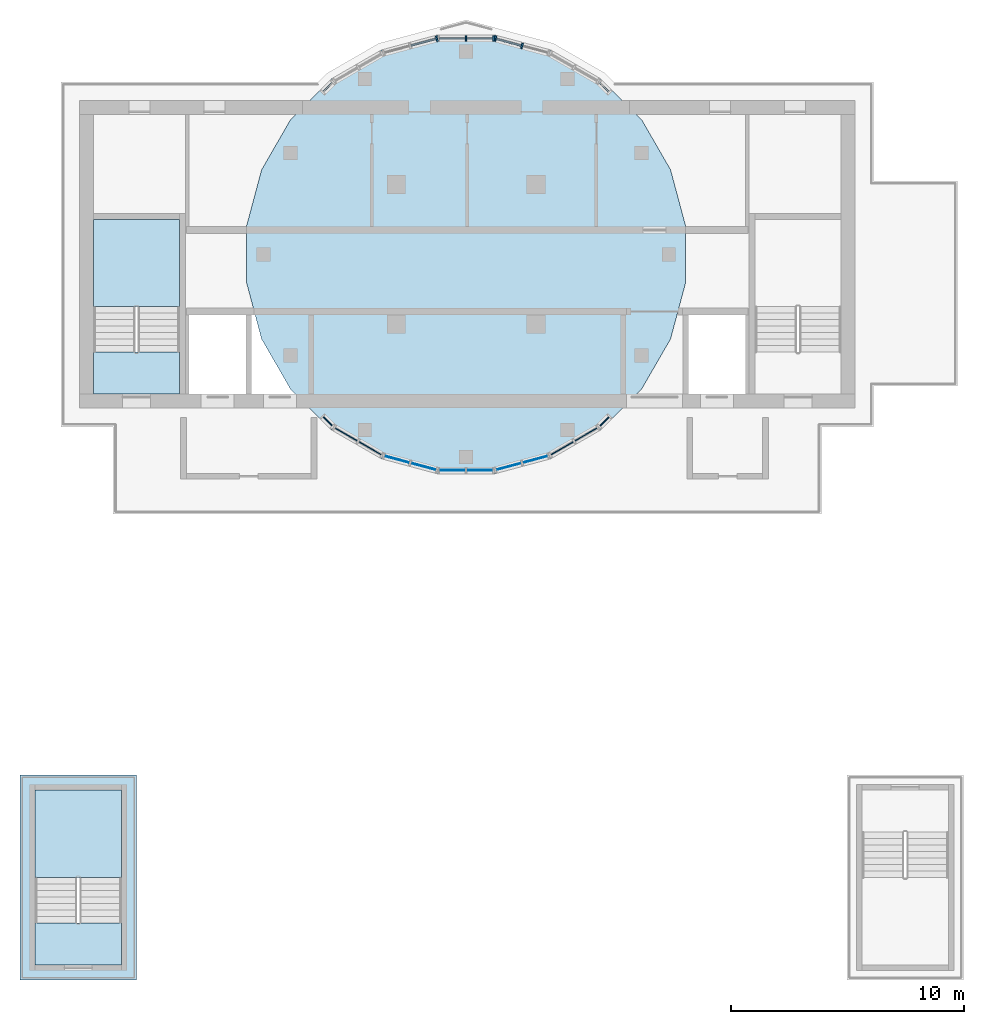
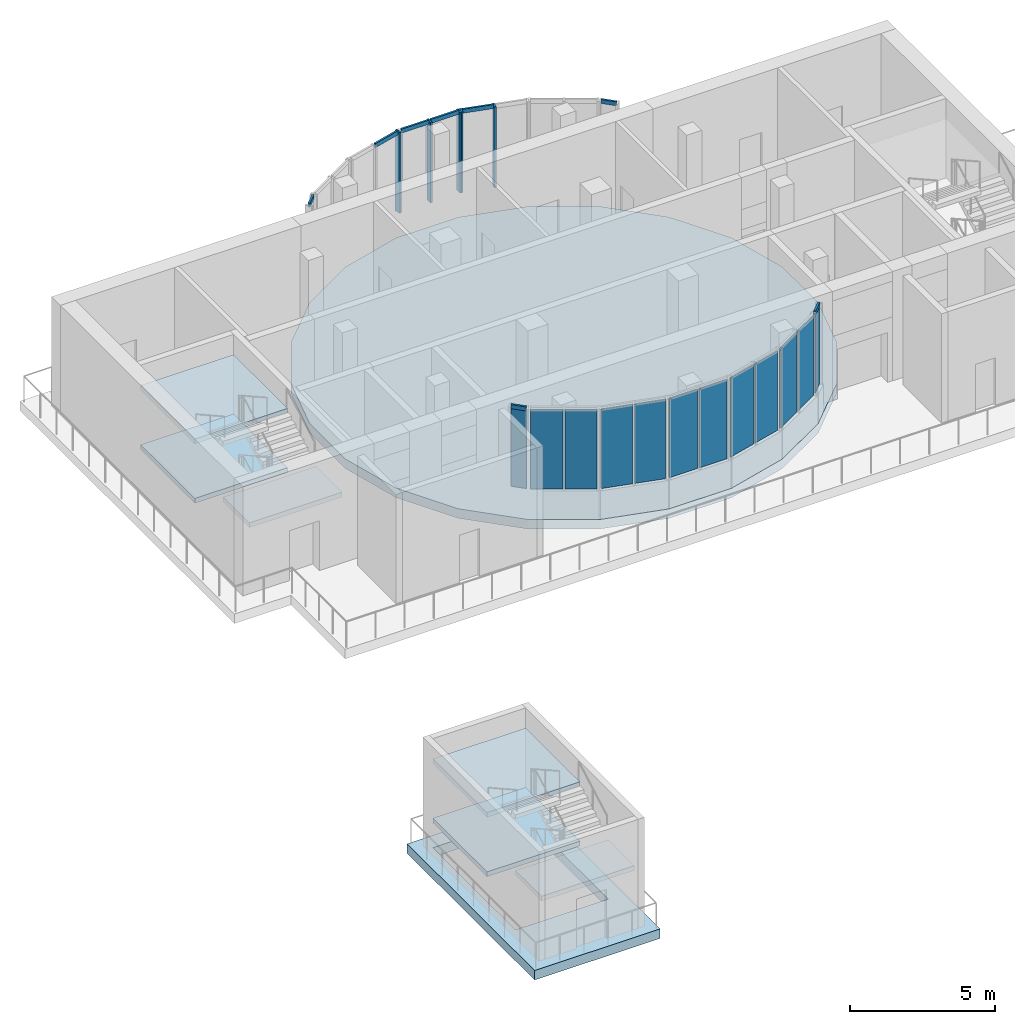
# One storey, part 2 of 10: 13 members, 12 plates, 8 slabs, 14 elements without a shape of their own.
"""IFC4 building model written with IfcOpenShell, lengths in metres."""

from ifc_helpers import new_model, si_unit, direction, frame, origin, origin_2d, place, context, subcontext, project, spatial, polyline, rectangle, outline, extrude, source, transform, mapped, material, layer, layer_set, material_profile, profile_set, type_object, element, aggregate, save


model = new_model("IFC4")

# Units and contexts
model_context = context("Model", 3, precision=1e-05, world=origin(), true_north=direction((0.0, 1.0)))
body_context = subcontext(model_context, "Body", "Model", "MODEL_VIEW")
ifc_project = project(units=[si_unit("LENGTHUNIT", "METRE"), si_unit("AREAUNIT", "SQUARE_METRE"), si_unit("VOLUMEUNIT", "CUBIC_METRE"), si_unit("PLANEANGLEUNIT", "RADIAN"), si_unit("MASSUNIT", "GRAM", prefix="KILO")], contexts=[model_context])

# Site, building, storey
site_placement = place(None, origin())
site = spatial("IfcSite", under=ifc_project, at=site_placement, CompositionType="ELEMENT")
building_placement = place(site_placement, origin())
building = spatial("IfcBuilding", under=site, at=building_placement, Name="Kilnfold Tower and Market Hall", CompositionType="ELEMENT")
storey_placement = place(building_placement, frame((0.0, 0.0, 323.800048828125)))
storey = spatial("IfcBuildingStorey", under=building, at=storey_placement, Name="L81 Crown Plant", CompositionType="ELEMENT", Elevation=323.800048828125)

# Curtain wall, members
ifc_material_1 = material(Name="Aluminium and double glazing", Category="aluminium")
curtain_wall_type = type_object("IfcCurtainWallType", Name="CW CROWN CLERESTORY", PredefinedType="NOTDEFINED", material=ifc_material_1)
curtain_wall_1_placement = place(storey_placement, origin())
curtain_wall_1 = element("IfcCurtainWall", 1, at=curtain_wall_1_placement, inside=storey, type_object=curtain_wall_type, Name="Curtain wall CW6 L81 D12", PredefinedType="NOTDEFINED")
ifc_material_2 = material(Name="Aluminium", Category="aluminium")
ifc_material_profile_1 = material_profile(ifc_material_2, rectangle(XDim=0.074951171875, YDim=0.239990234375, at=origin_2d()), Name="MULLION 75x240")
ifc_profile_set_1 = profile_set([ifc_material_profile_1], Name="Aluminium")
member_type_1 = type_object("IfcMemberType", Name="MULLION 75X240", PredefinedType="MULLION", material=ifc_profile_set_1)
shared_shape_1 = source(origin(), body_context, "Body", "SweptSolid", [
    extrude(rectangle(XDim=0.074951171875, YDim=0.239990234375, at=origin_2d()), origin(), (0.0, 0.0, 1.0), 3.39990234375),
])
member_1_placement = place(storey_placement, frame((3.39892578125, 23.952880859375, 1.199951171875), z_axis=(0.0, 0.0, 1.0), x_axis=(-0.965929578708, 0.258805040479, 0.0)))
member_1 = element("IfcMember", 2, at=member_1_placement, type_object=member_type_1, Name="CW6 mullion 2", PredefinedType="MULLION", context=body_context, shape_type="MappedRepresentation", body=[
    mapped(shared_shape_1, transform((0.0, 0.0, 0.0))),
])
member_2_placement = place(storey_placement, frame((2.256591796875, 24.259033203125, 1.199951171875), z_axis=(0.0, 0.0, 1.0), x_axis=(-0.965929578708, 0.258805040479, 0.0)))
member_2 = element("IfcMember", 3, at=member_2_placement, type_object=member_type_1, Name="CW6 mullion 3", PredefinedType="MULLION", context=body_context, shape_type="MappedRepresentation", body=[
    mapped(shared_shape_1, transform((0.0, 0.0, 0.0))),
])

curtain_wall_2_placement = place(storey_placement, origin())
curtain_wall_2 = element("IfcCurtainWall", 4, at=curtain_wall_2_placement, inside=storey, type_object=curtain_wall_type, Name="Curtain wall CW6 L81 D13", PredefinedType="NOTDEFINED")
member_3_placement = place(storey_placement, frame((2.182861328125, 24.268798828125, 1.199951171875), z_axis=(0.0, 0.0, 1.0), x_axis=(-1.0, 0.0, 0.0)))
member_3 = element("IfcMember", 5, at=member_3_placement, type_object=member_type_1, Name="CW6 mullion 1", PredefinedType="MULLION", context=body_context, shape_type="MappedRepresentation", body=[
    mapped(shared_shape_1, transform((0.0, 0.0, 0.0))),
])
member_4_placement = place(storey_placement, frame((1.0, 24.268798828125, 1.199951171875), z_axis=(0.0, 0.0, 1.0), x_axis=(-1.0, 0.0, 0.0)))
member_4 = element("IfcMember", 6, at=member_4_placement, type_object=member_type_1, Name="CW6 mullion 2", PredefinedType="MULLION", context=body_context, shape_type="MappedRepresentation", body=[
    mapped(shared_shape_1, transform((0.0, 0.0, 0.0))),
])

# Curtain wall, member
curtain_wall_3_placement = place(storey_placement, origin())
curtain_wall_3 = element("IfcCurtainWall", 7, at=curtain_wall_3_placement, inside=storey, type_object=curtain_wall_type, Name="Curtain wall CW6 L81 D14", PredefinedType="NOTDEFINED")
member_5_placement = place(storey_placement, frame((-0.256591796875, 24.259033203125, 1.199951171875), z_axis=(0.0, 0.0, 1.0), x_axis=(-0.965929578708, -0.258805040479, 0.0)))
member_5 = element("IfcMember", 8, at=member_5_placement, type_object=member_type_1, Name="CW6 mullion 1", PredefinedType="MULLION", context=body_context, shape_type="MappedRepresentation", body=[
    mapped(shared_shape_1, transform((0.0, 0.0, 0.0))),
])

# Member
ifc_material_3 = material(Name="Aluminium", Category="aluminium")
ifc_material_profile_2 = material_profile(ifc_material_3, rectangle(XDim=0.074951171875, YDim=0.169921875, at=origin_2d()), Name="TRANSOM 75x170")
ifc_profile_set_2 = profile_set([ifc_material_profile_2], Name="Aluminium")
member_type_2 = type_object("IfcMemberType", Name="TRANSOM 75X170", PredefinedType="USERDEFINED", material=ifc_profile_set_2)
shared_shape_2 = source(origin(), body_context, "Body", "SweptSolid", [
    extrude(rectangle(XDim=0.074951171875, YDim=0.169921875, at=origin_2d()), origin(), (0.0, 0.0, 1.0), 1.107666015625),
])
member_6_placement = place(storey_placement, frame((2.145263671875, 24.268798828125, 4.5625), z_axis=(-1.0, 0.0, 0.0), x_axis=(0.0, -1.0, 0.0)))
member_6 = element("IfcMember", 9, at=member_6_placement, type_object=member_type_2, Name="CW6 transom 1.2", ObjectType="TRANSOM", PredefinedType="USERDEFINED", context=body_context, shape_type="MappedRepresentation", body=[
    mapped(shared_shape_2, transform((0.0, 0.0, 0.0))),
])

member_7_placement = place(storey_placement, frame((0.96240234375, 24.268798828125, 4.5625), z_axis=(-1.0, 0.0, 0.0), x_axis=(0.0, -1.0, 0.0)))
member_7 = element("IfcMember", 10, at=member_7_placement, type_object=member_type_2, Name="CW6 transom 2.2", ObjectType="TRANSOM", PredefinedType="USERDEFINED", context=body_context, shape_type="MappedRepresentation", body=[
    mapped(shared_shape_2, transform((0.0, 0.0, 0.0))),
])

aggregate(curtain_wall_2, [member_3, member_4, member_6, member_7])

shared_shape_3 = source(origin(), body_context, "Body", "SweptSolid", [
    extrude(rectangle(XDim=0.074951171875, YDim=0.169921875, at=origin_2d()), origin(), (0.0, 0.0, 1.0), 1.10791015625),
])
member_8_placement = place(storey_placement, frame((3.36279296875, 23.962646484375, 4.5625), z_axis=(-0.965949035067, 0.258732413226, 0.0), x_axis=(-0.258732413226, -0.965949035067, 0.0)))
member_8 = element("IfcMember", 11, at=member_8_placement, type_object=member_type_2, Name="CW6 transom 2.2", ObjectType="TRANSOM", PredefinedType="USERDEFINED", context=body_context, shape_type="MappedRepresentation", body=[
    mapped(shared_shape_3, transform((0.0, 0.0, 0.0))),
])

aggregate(curtain_wall_1, [member_1, member_2, member_8])

member_9_placement = place(storey_placement, frame((-0.292724609375, 24.249267578125, 4.5625), z_axis=(-0.965949035067, -0.258732413226, 0.0), x_axis=(0.258732413226, -0.965949035067, 0.0)))
member_9 = element("IfcMember", 12, at=member_9_placement, type_object=member_type_2, Name="CW6 transom 1.2", ObjectType="TRANSOM", PredefinedType="USERDEFINED", context=body_context, shape_type="MappedRepresentation", body=[
    mapped(shared_shape_3, transform((0.0, 0.0, 0.0))),
])

aggregate(curtain_wall_3, [member_5, member_9])

# Curtain wall, member
curtain_wall_4_placement = place(storey_placement, origin())
curtain_wall_4 = element("IfcCurtainWall", 13, at=curtain_wall_4_placement, inside=storey, type_object=curtain_wall_type, Name="Curtain wall CW6 L81 D4", PredefinedType="NOTDEFINED")
shared_shape_4 = source(origin(), body_context, "Body", "SweptSolid", [
    extrude(rectangle(XDim=0.074951171875, YDim=0.169921875, at=origin_2d()), origin(), (0.0, 0.0, 1.0), 0.546875),
])
member_10_placement = place(storey_placement, frame((6.744140625, 7.63623046875, 4.5625), z_axis=(0.707106781187, 0.707106781187, 0.0), x_axis=(-0.707106781187, 0.707106781187, 0.0)))
member_10 = element("IfcMember", 14, at=member_10_placement, type_object=member_type_2, Name="CW6 transom 1.2", ObjectType="TRANSOM", PredefinedType="USERDEFINED", context=body_context, shape_type="MappedRepresentation", body=[
    mapped(shared_shape_4, transform((0.0, 0.0, 0.0))),
])

curtain_wall_5_placement = place(storey_placement, origin())
curtain_wall_5 = element("IfcCurtainWall", 15, at=curtain_wall_5_placement, inside=storey, type_object=curtain_wall_type, Name="Curtain wall CW6 L81 D10", PredefinedType="NOTDEFINED")
member_11_placement = place(storey_placement, frame((7.130859375, 21.97705078125, 4.5625), z_axis=(-0.707106781187, 0.707106781187, 0.0), x_axis=(-0.707106781187, -0.707106781187, 0.0)))
member_11 = element("IfcMember", 16, at=member_11_placement, type_object=member_type_2, Name="CW6 transom 1.2", ObjectType="TRANSOM", PredefinedType="USERDEFINED", context=body_context, shape_type="MappedRepresentation", body=[
    mapped(shared_shape_4, transform((0.0, 0.0, 0.0))),
])
aggregate(curtain_wall_5, [member_11])

curtain_wall_6_placement = place(storey_placement, origin())
curtain_wall_6 = element("IfcCurtainWall", 17, at=curtain_wall_6_placement, inside=storey, type_object=curtain_wall_type, Name="Curtain wall CW6 L81 D16", PredefinedType="NOTDEFINED")
member_12_placement = place(storey_placement, frame((-4.744140625, 22.36376953125, 4.5625), z_axis=(-0.707106781187, -0.707106781187, 0.0), x_axis=(0.707106781187, -0.707106781187, 0.0)))
member_12 = element("IfcMember", 18, at=member_12_placement, type_object=member_type_2, Name="CW6 transom 1.2", ObjectType="TRANSOM", PredefinedType="USERDEFINED", context=body_context, shape_type="MappedRepresentation", body=[
    mapped(shared_shape_4, transform((0.0, 0.0, 0.0))),
])
aggregate(curtain_wall_6, [member_12])

curtain_wall_7_placement = place(storey_placement, origin())
curtain_wall_7 = element("IfcCurtainWall", 19, at=curtain_wall_7_placement, inside=storey, type_object=curtain_wall_type, Name="Curtain wall CW6 L81 D22", PredefinedType="NOTDEFINED")
member_13_placement = place(storey_placement, frame((-5.130859375, 8.02294921875, 4.5625), z_axis=(0.707106781187, -0.707106781187, 0.0), x_axis=(0.707106781187, 0.707106781187, 0.0)))
member_13 = element("IfcMember", 20, at=member_13_placement, type_object=member_type_2, Name="CW6 transom 1.2", ObjectType="TRANSOM", PredefinedType="USERDEFINED", context=body_context, shape_type="MappedRepresentation", body=[
    mapped(shared_shape_4, transform((0.0, 0.0, 0.0))),
])

# Slab
ifc_material_4 = material(Name="Concrete C45", Category="concrete")
ifc_layer_1 = layer(ifc_material_4, 0.39990234375)
ifc_layer_set_1 = layer_set([ifc_layer_1], Name="Concrete C45")
slab_type_1 = type_object("IfcSlabType", Name="FLOOR SLAB 400", PredefinedType="FLOOR", material=ifc_layer_set_1)
shared_shape_5 = source(origin(), body_context, "Body", "SweptSolid", [
    extrude(outline(polyline([(-0.239990234375, 5.581298828125), (2.239990234375, 5.581298828125), (4.635498046875, 6.22314453125), (6.783203125, 7.463134765625), (8.536865234375, 9.216796875), (9.77685546875, 11.364501953125), (10.418701171875, 13.760009765625), (10.418701171875, 16.239990234375), (9.77685546875, 18.635498046875), (8.536865234375, 20.783203125), (6.783203125, 22.536865234375), (4.635498046875, 23.77685546875), (2.239990234375, 24.418701171875), (-0.239990234375, 24.418701171875), (-2.635498046875, 23.77685546875), (-4.783203125, 22.536865234375), (-6.536865234375, 20.783203125), (-7.77685546875, 18.635498046875), (-8.418701171875, 16.239990234375), (-8.418701171875, 13.760009765625), (-7.77685546875, 11.364501953125), (-6.536865234375, 9.216796875), (-4.783203125, 7.463134765625), (-2.635498046875, 6.22314453125), (-0.239990234375, 5.581298828125)])), origin(), (0.0, 0.0, 1.0), 0.400146484375),
])
slab_1_placement = place(storey_placement, frame((0.0, 0.0, -0.400146484375)))
element("IfcSlab", 21, at=slab_1_placement, inside=storey, type_object=slab_type_1, Name="Floor slab L81", PredefinedType="FLOOR", context=body_context, shape_type="MappedRepresentation", body=[
    mapped(shared_shape_5, transform((0.0, 0.0, 0.0))),
])

# Curtain wall, plates
curtain_wall_8_placement = place(storey_placement, origin())
curtain_wall_8 = element("IfcCurtainWall", 22, at=curtain_wall_8_placement, inside=storey, type_object=curtain_wall_type, Name="Curtain wall CW6 L81 D1", PredefinedType="NOTDEFINED")
ifc_material_5 = material(Name="Double glazed unit")
ifc_layer_2 = layer(ifc_material_5, 0.0380859375)
ifc_layer_set_2 = layer_set([ifc_layer_2], Name="Double glazed unit")
plate_type = type_object("IfcPlateType", Name="GLAZING PANEL 38", PredefinedType="CURTAIN_PANEL", material=ifc_layer_set_2)
shared_shape_6 = source(origin(), body_context, "Body", "SweptSolid", [
    extrude(rectangle(XDim=1.10791015625, YDim=0.0380859375, at=origin_2d()), origin(), (0.0, 0.0, 1.0), 3.324951171875),
])
plate_1_placement = place(storey_placement, frame((0.40869140625, 5.731201171875, 1.2001953125), z_axis=(0.0, 0.0, 1.0), x_axis=(1.0, 0.0, 0.0)))
plate_1 = element("IfcPlate", 23, at=plate_1_placement, type_object=plate_type, Name="CW6 panel 1.1", PredefinedType="CURTAIN_PANEL", context=body_context, shape_type="MappedRepresentation", body=[
    mapped(shared_shape_6, transform((0.0, 0.0, 0.0))),
])
plate_2_placement = place(storey_placement, frame((1.59130859375, 5.731201171875, 1.2001953125), z_axis=(0.0, 0.0, 1.0), x_axis=(1.0, 0.0, 0.0)))
plate_2 = element("IfcPlate", 24, at=plate_2_placement, type_object=plate_type, Name="CW6 panel 2.1", PredefinedType="CURTAIN_PANEL", context=body_context, shape_type="MappedRepresentation", body=[
    mapped(shared_shape_6, transform((0.0, 0.0, 0.0))),
])
aggregate(curtain_wall_8, [plate_1, plate_2])

curtain_wall_9_placement = place(storey_placement, origin())
curtain_wall_9 = element("IfcCurtainWall", 25, at=curtain_wall_9_placement, inside=storey, type_object=curtain_wall_type, Name="Curtain wall CW6 L81 D2", PredefinedType="NOTDEFINED")
shared_shape_7 = source(origin(), body_context, "Body", "SweptSolid", [
    extrude(rectangle(XDim=1.107666015625, YDim=0.0380859375, at=origin_2d()), origin(), (0.0, 0.0, 1.0), 3.324951171875),
])
plate_3_placement = place(storey_placement, frame((2.82763671875, 5.89404296875, 1.2001953125), z_axis=(0.0, 0.0, 1.0), x_axis=(0.965929578708, 0.258805040479, 0.0)))
plate_3 = element("IfcPlate", 26, at=plate_3_placement, type_object=plate_type, Name="CW6 panel 1.1", PredefinedType="CURTAIN_PANEL", context=body_context, shape_type="MappedRepresentation", body=[
    mapped(shared_shape_7, transform((0.0, 0.0, 0.0))),
])
plate_4_placement = place(storey_placement, frame((3.97021484375, 6.2001953125, 1.2001953125), z_axis=(0.0, 0.0, 1.0), x_axis=(0.965929578708, 0.258805040479, 0.0)))
plate_4 = element("IfcPlate", 27, at=plate_4_placement, type_object=plate_type, Name="CW6 panel 2.1", PredefinedType="CURTAIN_PANEL", context=body_context, shape_type="MappedRepresentation", body=[
    mapped(shared_shape_7, transform((0.0, 0.0, 0.0))),
])
aggregate(curtain_wall_9, [plate_3, plate_4])

curtain_wall_10_placement = place(storey_placement, origin())
curtain_wall_10 = element("IfcCurtainWall", 28, at=curtain_wall_10_placement, inside=storey, type_object=curtain_wall_type, Name="Curtain wall CW6 L81 D3", PredefinedType="NOTDEFINED")
plate_5_placement = place(storey_placement, frame((5.122314453125, 6.67724609375, 1.2001953125), z_axis=(0.0, 0.0, 1.0), x_axis=(0.866030690129, 0.499990843671, 0.0)))
plate_5 = element("IfcPlate", 29, at=plate_5_placement, type_object=plate_type, Name="CW6 panel 1.1", PredefinedType="CURTAIN_PANEL", context=body_context, shape_type="MappedRepresentation", body=[
    mapped(shared_shape_7, transform((0.0, 0.0, 0.0))),
])
plate_6_placement = place(storey_placement, frame((6.146484375, 7.2685546875, 1.2001953125), z_axis=(0.0, 0.0, 1.0), x_axis=(0.866030690129, 0.499990843671, 0.0)))
plate_6 = element("IfcPlate", 30, at=plate_6_placement, type_object=plate_type, Name="CW6 panel 2.1", PredefinedType="CURTAIN_PANEL", context=body_context, shape_type="MappedRepresentation", body=[
    mapped(shared_shape_7, transform((0.0, 0.0, 0.0))),
])
aggregate(curtain_wall_10, [plate_5, plate_6])

curtain_wall_11_placement = place(storey_placement, origin())
curtain_wall_11 = element("IfcCurtainWall", 31, at=curtain_wall_11_placement, inside=storey, type_object=curtain_wall_type, Name="Curtain wall CW6 L81 D23", PredefinedType="NOTDEFINED")
plate_7_placement = place(storey_placement, frame((-4.146484375, 7.2685546875, 1.2001953125), z_axis=(0.0, 0.0, 1.0), x_axis=(0.866030690129, -0.499990843671, 0.0)))
plate_7 = element("IfcPlate", 32, at=plate_7_placement, type_object=plate_type, Name="CW6 panel 1.1", PredefinedType="CURTAIN_PANEL", context=body_context, shape_type="MappedRepresentation", body=[
    mapped(shared_shape_7, transform((0.0, 0.0, 0.0))),
])
plate_8_placement = place(storey_placement, frame((-3.122314453125, 6.67724609375, 1.2001953125), z_axis=(0.0, 0.0, 1.0), x_axis=(0.866030690129, -0.499990843671, 0.0)))
plate_8 = element("IfcPlate", 33, at=plate_8_placement, type_object=plate_type, Name="CW6 panel 2.1", PredefinedType="CURTAIN_PANEL", context=body_context, shape_type="MappedRepresentation", body=[
    mapped(shared_shape_7, transform((0.0, 0.0, 0.0))),
])
aggregate(curtain_wall_11, [plate_7, plate_8])

curtain_wall_12_placement = place(storey_placement, origin())
curtain_wall_12 = element("IfcCurtainWall", 34, at=curtain_wall_12_placement, inside=storey, type_object=curtain_wall_type, Name="Curtain wall CW6 L81 D24", PredefinedType="NOTDEFINED")
plate_9_placement = place(storey_placement, frame((-1.97021484375, 6.2001953125, 1.2001953125), z_axis=(0.0, 0.0, 1.0), x_axis=(0.965929578708, -0.258805040479, 0.0)))
plate_9 = element("IfcPlate", 35, at=plate_9_placement, type_object=plate_type, Name="CW6 panel 1.1", PredefinedType="CURTAIN_PANEL", context=body_context, shape_type="MappedRepresentation", body=[
    mapped(shared_shape_7, transform((0.0, 0.0, 0.0))),
])
plate_10_placement = place(storey_placement, frame((-0.82763671875, 5.89404296875, 1.2001953125), z_axis=(0.0, 0.0, 1.0), x_axis=(0.965929578708, -0.258805040479, 0.0)))
plate_10 = element("IfcPlate", 36, at=plate_10_placement, type_object=plate_type, Name="CW6 panel 2.1", PredefinedType="CURTAIN_PANEL", context=body_context, shape_type="MappedRepresentation", body=[
    mapped(shared_shape_7, transform((0.0, 0.0, 0.0))),
])
aggregate(curtain_wall_12, [plate_9, plate_10])

# Plate
shared_shape_8 = source(origin(), body_context, "Body", "SweptSolid", [
    extrude(rectangle(XDim=0.547119140625, YDim=0.0380859375, at=origin_2d()), origin(), (0.0, 0.0, 1.0), 3.324951171875),
])
plate_11_placement = place(storey_placement, frame((6.9375, 7.82958984375, 1.2001953125), z_axis=(0.0, 0.0, 1.0), x_axis=(0.707035055596, 0.707178499502, 0.0)))
plate_11 = element("IfcPlate", 37, at=plate_11_placement, type_object=plate_type, Name="CW6 panel 1.1", PredefinedType="CURTAIN_PANEL", context=body_context, shape_type="MappedRepresentation", body=[
    mapped(shared_shape_8, transform((0.0, 0.0, 0.0))),
])

aggregate(curtain_wall_4, [member_10, plate_11])

plate_12_placement = place(storey_placement, frame((-4.9375, 7.82958984375, 1.2001953125), z_axis=(0.0, 0.0, 1.0), x_axis=(0.707035055596, -0.707178499502, 0.0)))
plate_12 = element("IfcPlate", 38, at=plate_12_placement, type_object=plate_type, Name="CW6 panel 1.1", PredefinedType="CURTAIN_PANEL", context=body_context, shape_type="MappedRepresentation", body=[
    mapped(shared_shape_8, transform((0.0, 0.0, 0.0))),
])

aggregate(curtain_wall_7, [member_13, plate_12])

# Stair, slabs
ifc_material_6 = material(Name="Concrete C40/50", Category="concrete")
stair_type = type_object("IfcStairType", Name="CORE STAIR 1800", PredefinedType="HALF_TURN_STAIR", material=ifc_material_6)
stair_1_placement = place(storey_placement, origin())
stair_1 = element("IfcStair", 39, at=stair_1_placement, inside=storey, type_object=stair_type, Name="L81 Crown Plant ST1", PredefinedType="HALF_TURN_STAIR")
ifc_material_7 = material(Name="Concrete C40/50", Category="concrete")
ifc_layer_3 = layer(ifc_material_7, 0.199951171875)
ifc_layer_set_3 = layer_set([ifc_layer_3], Name="Concrete C40/50")
slab_type_2 = type_object("IfcSlabType", Name="CORE STAIR LANDING 200", PredefinedType="LANDING", material=ifc_layer_set_3)
shared_shape_9 = source(origin(), body_context, "Body", "SweptSolid", [
    extrude(outline(polyline([(-11.300048828125, 9.0), (-11.300048828125, 10.800048828125), (-15.0, 10.800048828125), (-15.0, 9.0), (-11.300048828125, 9.0)])), origin(), (0.0, 0.0, 1.0), 0.199951171875),
])
slab_2_placement = place(storey_placement, frame((0.0, 0.0, 2.300048828125)))
slab_2 = element("IfcSlab", 40, at=slab_2_placement, type_object=slab_type_2, Name="ST1 landing 2", PredefinedType="LANDING", context=body_context, shape_type="MappedRepresentation", body=[
    mapped(shared_shape_9, transform((0.0, 0.0, 0.0))),
])
shared_shape_10 = source(origin(), body_context, "Body", "SweptSolid", [
    extrude(outline(polyline([(-11.300048828125, 12.760009765625), (-11.300048828125, 16.5), (-15.0, 16.5), (-15.0, 12.760009765625), (-11.300048828125, 12.760009765625)])), origin(), (0.0, 0.0, 1.0), 0.199951171875),
])
slab_3_placement = place(storey_placement, frame((0.0, 0.0, 1.050048828125)))
slab_3 = element("IfcSlab", 41, at=slab_3_placement, type_object=slab_type_2, Name="ST1 landing 1", PredefinedType="LANDING", context=body_context, shape_type="MappedRepresentation", body=[
    mapped(shared_shape_10, transform((0.0, 0.0, 0.0))),
])
slab_4_placement = place(storey_placement, frame((0.0, 0.0, 3.550048828125)))
slab_4 = element("IfcSlab", 42, at=slab_4_placement, type_object=slab_type_2, Name="ST1 landing 3", PredefinedType="LANDING", context=body_context, shape_type="MappedRepresentation", body=[
    mapped(shared_shape_10, transform((0.0, 0.0, 0.0))),
])
aggregate(stair_1, [slab_3, slab_2, slab_4])

stair_2_placement = place(storey_placement, origin())
stair_2 = element("IfcStair", 43, at=stair_2_placement, inside=storey, type_object=stair_type, Name="L81 Crown Plant ST3", PredefinedType="HALF_TURN_STAIR")
shared_shape_11 = source(origin(), body_context, "Body", "SweptSolid", [
    extrude(outline(polyline([(-13.800048828125, -15.5), (-13.800048828125, -13.699951171875), (-17.5, -13.699951171875), (-17.5, -15.5), (-13.800048828125, -15.5)])), origin(), (0.0, 0.0, 1.0), 0.199951171875),
])
slab_5_placement = place(storey_placement, frame((0.0, 0.0, 2.300048828125)))
slab_5 = element("IfcSlab", 44, at=slab_5_placement, type_object=slab_type_2, Name="ST3 landing 2", PredefinedType="LANDING", context=body_context, shape_type="MappedRepresentation", body=[
    mapped(shared_shape_11, transform((0.0, 0.0, 0.0))),
])
shared_shape_12 = source(origin(), body_context, "Body", "SweptSolid", [
    extrude(outline(polyline([(-13.800048828125, -11.739990234375), (-13.800048828125, -8.0), (-17.5, -8.0), (-17.5, -11.739990234375), (-13.800048828125, -11.739990234375)])), origin(), (0.0, 0.0, 1.0), 0.199951171875),
])
slab_6_placement = place(storey_placement, frame((0.0, 0.0, 1.050048828125)))
slab_6 = element("IfcSlab", 45, at=slab_6_placement, type_object=slab_type_2, Name="ST3 landing 1", PredefinedType="LANDING", context=body_context, shape_type="MappedRepresentation", body=[
    mapped(shared_shape_12, transform((0.0, 0.0, 0.0))),
])
slab_7_placement = place(storey_placement, frame((0.0, 0.0, 3.550048828125)))
slab_7 = element("IfcSlab", 46, at=slab_7_placement, type_object=slab_type_2, Name="ST3 landing 3", PredefinedType="LANDING", context=body_context, shape_type="MappedRepresentation", body=[
    mapped(shared_shape_12, transform((0.0, 0.0, 0.0))),
])
aggregate(stair_2, [slab_6, slab_5, slab_7])

# Slab
ifc_material_8 = material(Name="Concrete C40/50", Category="concrete")
ifc_layer_4 = layer(ifc_material_8, 0.39990234375)
ifc_layer_set_4 = layer_set([ifc_layer_4], Name="Concrete C40/50")
slab_type_3 = type_object("IfcSlabType", Name="CROWN CORE FLOOR SLAB 400", PredefinedType="FLOOR", material=ifc_layer_set_4)
shared_shape_13 = source(origin(), body_context, "Body", "SweptSolid", [
    extrude(outline(polyline([(-13.14990234375, -16.14990234375), (-18.14990234375, -16.14990234375), (-18.14990234375, -7.35009765625), (-13.14990234375, -7.35009765625), (-13.14990234375, -16.14990234375)]), holes=[polyline([(-17.49951171875, -8.00048828125), (-17.49951171875, -13.699462890625), (-13.800537109375, -13.699462890625), (-13.800537109375, -8.00048828125), (-17.49951171875, -8.00048828125)])]), origin(), (0.0, 0.0, 1.0), 0.400146484375),
])
slab_8_placement = place(storey_placement, frame((0.0, 0.0, -0.400146484375)))
element("IfcSlab", 47, at=slab_8_placement, inside=storey, type_object=slab_type_3, Name="Crown core floor slab", PredefinedType="FLOOR", context=body_context, shape_type="MappedRepresentation", body=[
    mapped(shared_shape_13, transform((0.0, 0.0, 0.0))),
])

save(model, "model.ifc")
